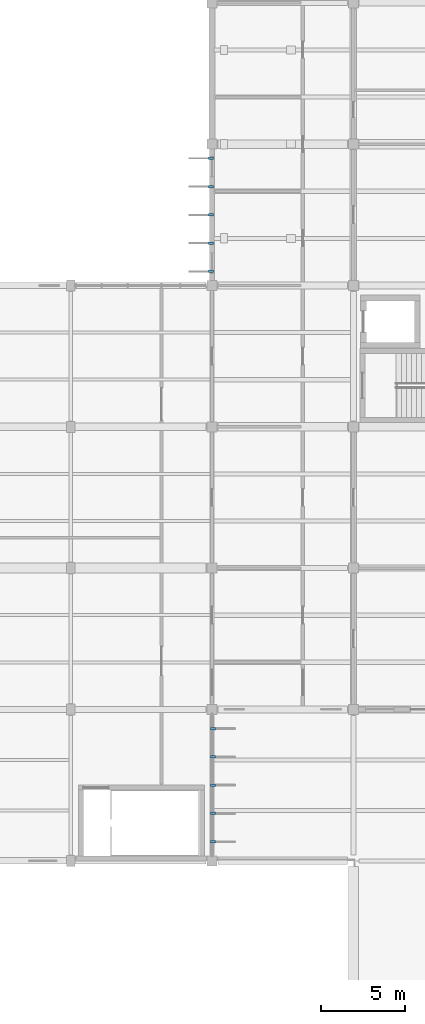
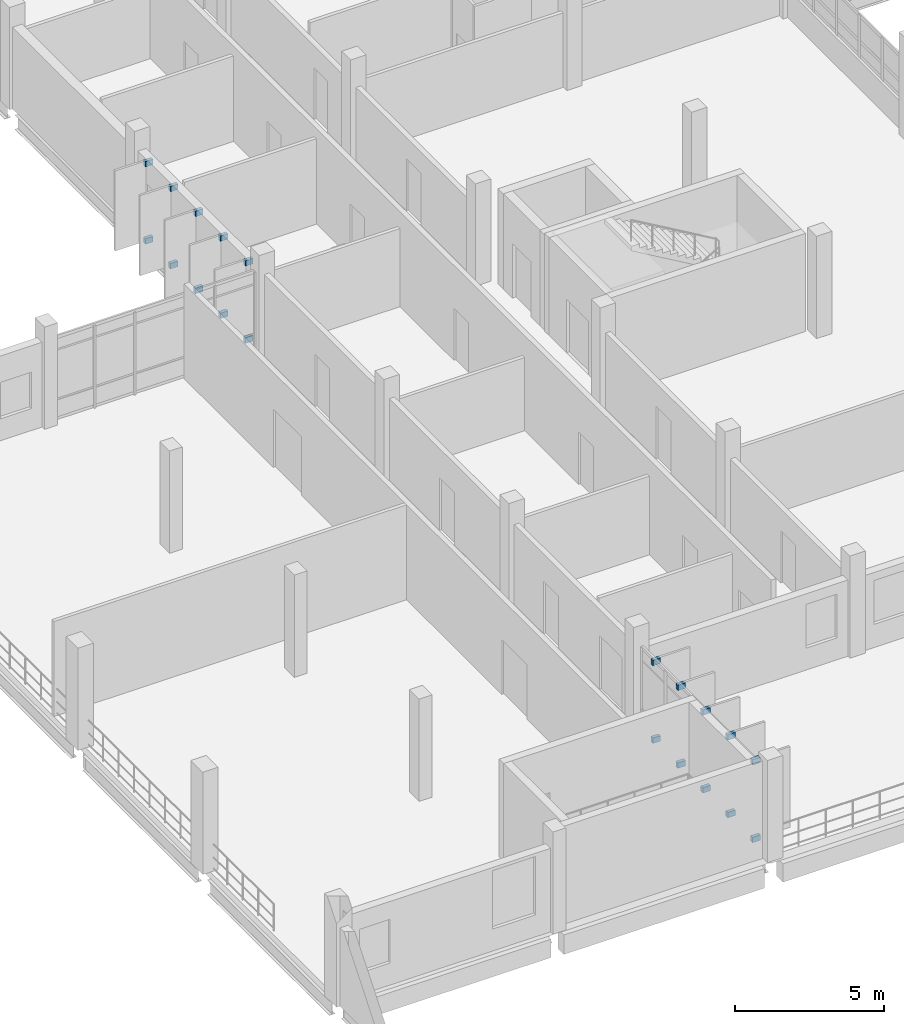
# One storey, part 93 of 101: 20 discrete accessories.
"""IFC4 building model written with IfcOpenShell, lengths in metres."""

import ifcopenshell
import ifcopenshell.guid

model = None  # the IFC model being written
_history = None  # IfcOwnerHistory: only IFC2X3 demands one
_inside = {}  # id of a spatial element -> (the spatial element, [elements in it])
_under = {}  # id of a project, library or spatial element -> (it, [spatial elements below it])
_declared = {}  # id of a project -> (the project, [libraries it declares])
_typed = {}  # id of a type object -> (the type object, [elements of that type])
_made_of = {}  # id of a material, layer set ... -> (it, [elements and type objects made of it])


def new_model(schema):
    """Start an empty IFC model of exactly this schema.

    Asked for "IFC4X3", IfcOpenShell would pick the latest addendum, in which some entities
    have other attributes; the version numbers below select the first issue.
    IFC2X3 requires an IfcOwnerHistory on every rooted entity: one is made here for all.
    """
    global model, _history
    if schema == "IFC4X3":
        model = ifcopenshell.file(schema_version=(4, 3, 0, 0))
    else:
        model = ifcopenshell.file(schema=schema)
    _inside.clear()
    _under.clear()
    _declared.clear()
    _typed.clear()
    _made_of.clear()
    _history = None
    if model.schema == "IFC2X3":
        org = make("IfcOrganization", Name="unknown")
        user = make(
            "IfcPersonAndOrganization",
            ThePerson=make("IfcPerson", FamilyName="unknown"),
            TheOrganization=org,
        )
        app = make(
            "IfcApplication",
            ApplicationDeveloper=org,
            Version="unknown",
            ApplicationFullName="unknown",
            ApplicationIdentifier="unknown",
        )
        _history = make(
            "IfcOwnerHistory",
            OwningUser=user,
            OwningApplication=app,
            ChangeAction="ADDED",
            CreationDate=0,
        )
    return model


def make(cls, **values):
    """One entity of the class cls with the attributes given. An attribute that is None is left unset."""
    return model.create_entity(
        cls, **{name: value for name, value in values.items() if value is not None}
    )


def rooted(cls, **values):
    """An entity with a GlobalId (a new one), such as an element, a storey or a relation."""
    return make(cls, GlobalId=ifcopenshell.guid.new(), OwnerHistory=_history, **values)


def si_unit(unit_type, name, prefix=None):
    """IfcSIUnit, for example si_unit("LENGTHUNIT", "METRE", prefix="MILLI")."""
    return make("IfcSIUnit", UnitType=unit_type, Prefix=prefix, Name=name)


def assignment(units):
    """IfcUnitAssignment: the units of a project."""
    return None if units is None else make("IfcUnitAssignment", Units=units)


def point(xyz):
    """IfcCartesianPoint."""
    return None if xyz is None else make("IfcCartesianPoint", Coordinates=xyz)


def direction(xyz):
    """IfcDirection."""
    return None if xyz is None else make("IfcDirection", DirectionRatios=xyz)


def frame(location, z_axis=None, x_axis=None):
    """IfcAxis2Placement3D, a coordinate frame: its origin and axes. An axis left out is left unset."""
    return make(
        "IfcAxis2Placement3D",
        Location=point(location),
        Axis=direction(z_axis),
        RefDirection=direction(x_axis),
    )


def frame_2d(location, x_axis=None):
    """IfcAxis2Placement2D, a coordinate frame in the plane: its origin and x axis."""
    return make(
        "IfcAxis2Placement2D", Location=point(location), RefDirection=direction(x_axis)
    )


def origin():
    """The frame at (0, 0, 0) with its axes left unset."""
    return frame((0.0, 0.0, 0.0))


def origin_2d():
    """The frame at (0, 0) in the plane with its x axis left unset."""
    return frame_2d((0.0, 0.0))


def place(relative_to, where):
    """IfcLocalPlacement: puts the frame where relative to a parent placement (None: the world)."""
    return make(
        "IfcLocalPlacement", PlacementRelTo=relative_to, RelativePlacement=where
    )


def context(
    kind, dimensions, precision=None, world=None, true_north=None, identifier=None
):
    """IfcGeometricRepresentationContext, for example the 3D "Model" context."""
    return make(
        "IfcGeometricRepresentationContext",
        ContextIdentifier=identifier,
        ContextType=kind,
        CoordinateSpaceDimension=dimensions,
        Precision=precision,
        WorldCoordinateSystem=world,
        TrueNorth=true_north,
    )


def subcontext(parent, identifier, kind, view, scale=None):
    """IfcGeometricRepresentationSubContext, for example "Body" below "Model"."""
    return make(
        "IfcGeometricRepresentationSubContext",
        ContextIdentifier=identifier,
        ContextType=kind,
        ParentContext=parent,
        TargetScale=scale,
        TargetView=view,
    )


def project(units=None, contexts=None):
    """IfcProject with its units and contexts."""
    return rooted(
        "IfcProject",
        Name="project",
        RepresentationContexts=contexts,
        UnitsInContext=assignment(units),
    )


def spatial(cls, under=None, at=None, **own):
    """A site, building, storey or space (cls), placed at a placement, below another one or the project."""
    s = rooted(cls, ObjectPlacement=at, **own)
    if under is not None:
        _under.setdefault(under.id(), (under, []))[1].append(s)
    return s


def profile(cls, at=None, kind="AREA", **sizes):
    """A parametric profile (cls). Its sizes go by their IFC names, for example OverallWidth=200.0."""
    return make(cls, ProfileType=kind, Position=at, **sizes)


def rectangle(**sizes):
    """IfcRectangleProfileDef."""
    return profile("IfcRectangleProfileDef", **sizes)


def extrude(swept, where, along, depth):
    """IfcExtrudedAreaSolid: the profile swept, set in the frame where, extruded along a direction by depth."""
    return make(
        "IfcExtrudedAreaSolid",
        SweptArea=swept,
        Position=where,
        ExtrudedDirection=direction(along),
        Depth=depth,
    )


def shape(context_of_items, identifier, shape_type, items):
    """IfcShapeRepresentation: the items that make up one representation, for example the "Body"."""
    return make(
        "IfcShapeRepresentation",
        ContextOfItems=context_of_items,
        RepresentationIdentifier=identifier,
        RepresentationType=shape_type,
        Items=items,
    )


def material(Name=None, Category=None):
    """IfcMaterial."""
    return make("IfcMaterial", Name=Name, Category=Category)


def made_of(thing, what):
    """Note that an element or type object is made of a material, layer set ...; save() writes the relation."""
    if what is not None:
        _made_of.setdefault(what.id(), (what, []))[1].append(thing)
    return thing


def type_object(cls, material=None, **own):
    """A type object (cls), such as IfcWallType, which elements share."""
    return made_of(rooted(cls, **own), material)


def element(
    cls,
    number,
    at=None,
    inside=None,
    cuts=None,
    type_object=None,
    material=None,
    context=None,
    identifier="Body",
    shape_type=None,
    held_by="IfcProductDefinitionShape",
    body=None,
    shapes=None,
    **own,
):
    """One element of the class cls, such as IfcWall. Its Tag is "e" and its number.

    at: its placement. inside: the storey or other place that contains it. cuts: it is an
    opening in that element (IfcRelVoidsElement). A single representation is given by context,
    identifier, shape_type and body (its items); several are given by shapes. held_by: the class
    of the entity that holds the representations. save() writes the other relations.
    """
    e = rooted(cls, Tag="e%d" % number, ObjectPlacement=at, **own)
    if body is not None:
        shapes = [shape(context, identifier, shape_type, body)]
    if shapes is not None:
        e.Representation = make(held_by, Representations=shapes)
    if inside is not None:
        _inside.setdefault(inside.id(), (inside, []))[1].append(e)
    if cuts is not None:
        rooted(
            "IfcRelVoidsElement", RelatingBuildingElement=cuts, RelatedOpeningElement=e
        )
    if type_object is not None:
        _typed.setdefault(type_object.id(), (type_object, []))[1].append(e)
    return made_of(e, material)


def aggregate(whole, parts):
    """IfcRelAggregates: a whole, such as a stair, and the parts it consists of."""
    return rooted("IfcRelAggregates", RelatingObject=whole, RelatedObjects=parts)


def save(model, path):
    """Write the relations noted so far, then the file.

    IfcRelAggregates (storeys below a building ...), IfcRelContainedInSpatialStructure (elements
    in a storey), IfcRelDefinesByType, IfcRelAssociatesMaterial and IfcRelDeclares: one each for
    every whole, place, type object, material and project.
    """
    for whole, parts in _under.values():
        aggregate(whole, parts)
    for where, things in _inside.values():
        rooted(
            "IfcRelContainedInSpatialStructure",
            RelatedElements=things,
            RelatingStructure=where,
        )
    for kind, things in _typed.values():
        rooted("IfcRelDefinesByType", RelatedObjects=things, RelatingType=kind)
    for what, things in _made_of.values():
        rooted("IfcRelAssociatesMaterial", RelatedObjects=things, RelatingMaterial=what)
    for by, libraries in _declared.values():
        rooted("IfcRelDeclares", RelatingContext=by, RelatedDefinitions=libraries)
    model.write(path)


model = new_model("IFC4")

# Units and contexts
model_context = context("Model", 3, precision=1e-05, world=origin(), true_north=direction((0.0, 1.0)))
body_context = subcontext(model_context, "Body", "Model", "MODEL_VIEW")
ifc_project = project(units=[si_unit("LENGTHUNIT", "METRE"), si_unit("AREAUNIT", "SQUARE_METRE"), si_unit("VOLUMEUNIT", "CUBIC_METRE"), si_unit("PLANEANGLEUNIT", "RADIAN"), si_unit("MASSUNIT", "GRAM", prefix="KILO")], contexts=[model_context])

# Site, building, storey
site_placement = place(None, origin())
site = spatial("IfcSite", under=ifc_project, at=site_placement, CompositionType="ELEMENT")
building_placement = place(site_placement, origin())
building = spatial("IfcBuilding", under=site, at=building_placement, Name="Vireocrest Preparatory School", CompositionType="ELEMENT")
storey_placement = place(building_placement, frame((0.0, 0.0, 4.800048828125)))
storey = spatial("IfcBuildingStorey", under=building, at=storey_placement, Name="L01", CompositionType="ELEMENT", Elevation=4.800048828125)

# Discrete accessories
ifc_material = material(Name="Structural steel ASTM A572 Grade 50", Category="steel")
discrete_accessory_type = type_object("IfcDiscreteAccessoryType", Name="Slab-Edge Steel Outrigger Fin Bracket", PredefinedType="BRACKET", material=ifc_material)
for number, where, z_axis, x_axis, name in (
    (1, (41.929931640625, 53.0400390625, -0.08984375), (0.0, 0.0, 1.0), (0.0, 1.0, 0.0), "Solar Fin Outrigger Bracket BK1 L01-12-1-BOT"),
    (2, (41.929931640625, 53.0400390625, 3.08203125), (0.0, 0.0, 1.0), (0.0, 1.0, 0.0), "Solar Fin Outrigger Bracket BK1 L01-12-1-TOP"),
    (3, (41.929931640625, 54.719970703125, -0.08984375), (0.0, 0.0, 1.0), (0.0, 1.0, 0.0), "Solar Fin Outrigger Bracket BK1 L01-12-2-BOT"),
    (4, (41.929931640625, 54.719970703125, 3.08203125), (0.0, 0.0, 1.0), (0.0, 1.0, 0.0), "Solar Fin Outrigger Bracket BK1 L01-12-2-TOP"),
    (5, (41.929931640625, 56.39990234375, -0.08984375), (0.0, 0.0, 1.0), (0.0, 1.0, 0.0), "Solar Fin Outrigger Bracket BK1 L01-12-3-BOT"),
    (6, (41.929931640625, 56.39990234375, 3.08203125), (0.0, 0.0, 1.0), (0.0, 1.0, 0.0), "Solar Fin Outrigger Bracket BK1 L01-12-3-TOP"),
    (7, (41.929931640625, 58.080078125, -0.08984375), (0.0, 0.0, 1.0), (0.0, 1.0, 0.0), "Solar Fin Outrigger Bracket BK1 L01-12-4-BOT"),
    (8, (41.929931640625, 58.080078125, 3.08203125), (0.0, 0.0, 1.0), (0.0, 1.0, 0.0), "Solar Fin Outrigger Bracket BK1 L01-12-4-TOP"),
    (9, (41.929931640625, 59.760009765625, -0.08984375), (0.0, 0.0, 1.0), (0.0, 1.0, 0.0), "Solar Fin Outrigger Bracket BK1 L01-12-5-BOT"),
    (10, (41.929931640625, 59.760009765625, 3.08203125), (0.0, 0.0, 1.0), (0.0, 1.0, 0.0), "Solar Fin Outrigger Bracket BK1 L01-12-5-TOP"),
    (11, (42.070068359375, 19.139892578125, -0.08984375), (0.0, 0.0, 1.0), (0.0, -1.0, 0.0), "Solar Fin Outrigger Bracket BK1 L01-13-1-BOT"),
    (12, (42.070068359375, 19.139892578125, 3.10205078125), (0.0, 0.0, 1.0), (0.0, -1.0, 0.0), "Solar Fin Outrigger Bracket BK1 L01-13-1-TOP"),
    (13, (42.070068359375, 20.820068359375, -0.08984375), (0.0, 0.0, 1.0), (0.0, -1.0, 0.0), "Solar Fin Outrigger Bracket BK1 L01-13-2-BOT"),
    (14, (42.070068359375, 20.820068359375, 3.10205078125), (0.0, 0.0, 1.0), (0.0, -1.0, 0.0), "Solar Fin Outrigger Bracket BK1 L01-13-2-TOP"),
    (15, (42.070068359375, 22.5, -0.08984375), (0.0, 0.0, 1.0), (0.0, -1.0, 0.0), "Solar Fin Outrigger Bracket BK1 L01-13-3-BOT"),
    (16, (42.070068359375, 22.5, 3.10205078125), (0.0, 0.0, 1.0), (0.0, -1.0, 0.0), "Solar Fin Outrigger Bracket BK1 L01-13-3-TOP"),
    (17, (42.070068359375, 24.179931640625, -0.08984375), (0.0, 0.0, 1.0), (0.0, -1.0, 0.0), "Solar Fin Outrigger Bracket BK1 L01-13-4-BOT"),
    (18, (42.070068359375, 24.179931640625, 3.10205078125), (0.0, 0.0, 1.0), (0.0, -1.0, 0.0), "Solar Fin Outrigger Bracket BK1 L01-13-4-TOP"),
    (19, (42.070068359375, 25.860107421875, -0.08984375), (0.0, 0.0, 1.0), (0.0, -1.0, 0.0), "Solar Fin Outrigger Bracket BK1 L01-13-5-BOT"),
    (20, (42.070068359375, 25.860107421875, 3.10205078125), (0.0, 0.0, 1.0), (0.0, -1.0, 0.0), "Solar Fin Outrigger Bracket BK1 L01-13-5-TOP"),
):
    element("IfcDiscreteAccessory", number, at=place(storey_placement, frame(where, z_axis=z_axis, x_axis=x_axis)), inside=storey, type_object=discrete_accessory_type, Name=name, PredefinedType="BRACKET", context=body_context, shape_type="SweptSolid", body=[
        extrude(rectangle(XDim=0.139892578125, YDim=0.300048828125, at=origin_2d()), origin(), (0.0, 0.0, 1.0), 0.219970703125),
    ])

save(model, "model.ifc")
